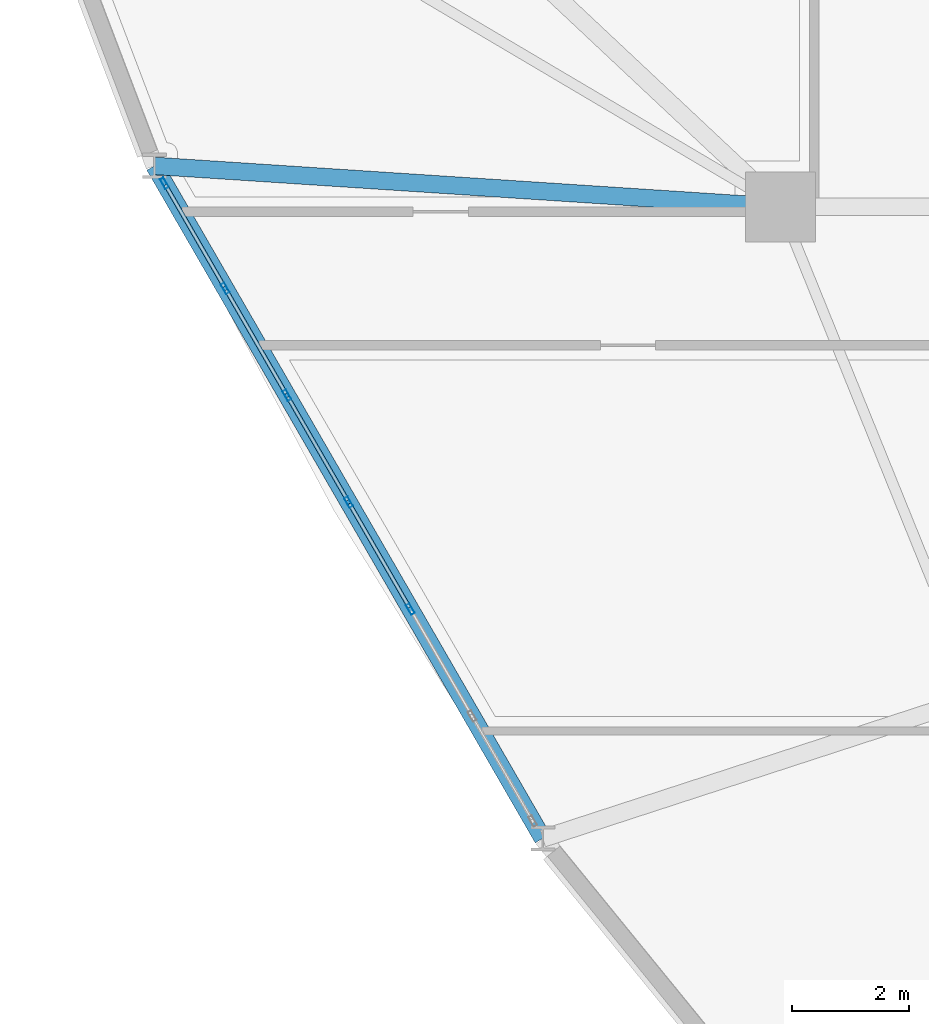
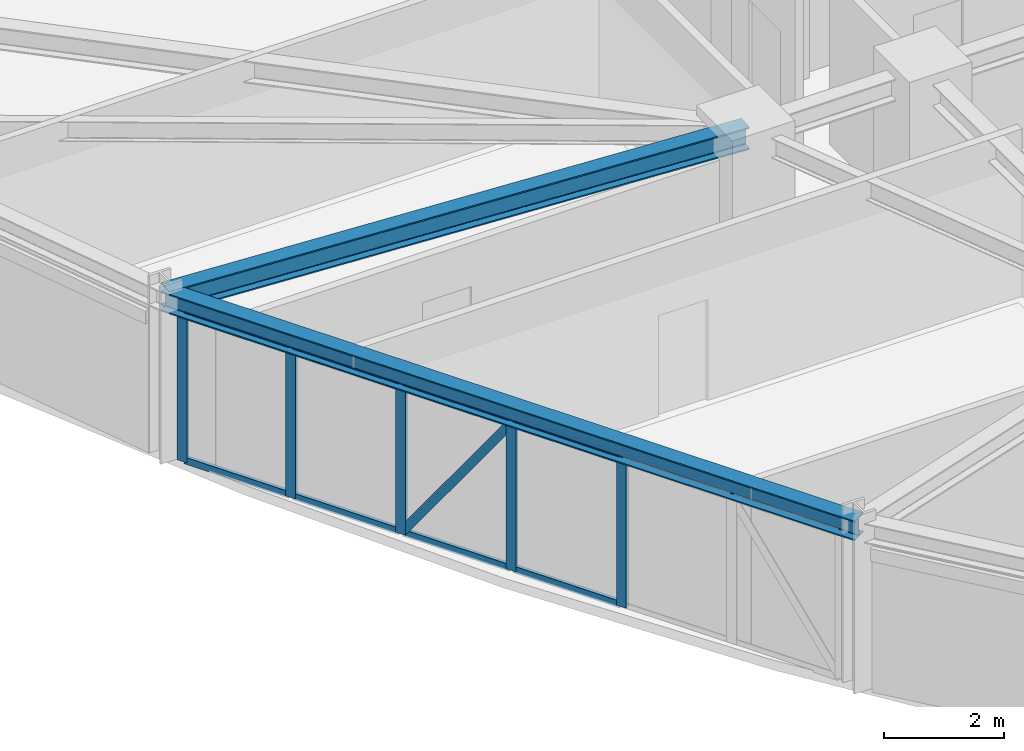
# One storey, part 4 of 18: 14 members, 2 beams, 1 element without a shape of its own.
"""IFC4 building model written with IfcOpenShell, lengths in metres."""

from ifc_helpers import new_model, si_unit, derived_unit, direction, frame, origin, origin_2d, place, context, subcontext, project, spatial, hollow_rectangle, i_section, extrude, source, transform, mapped, material, layer, layer_set, material_profile, profile_set, type_object, element, aggregate, save


model = new_model("IFC4")

# Units and contexts
model_context = context("Model", 3, precision=1e-05, world=origin(), true_north=direction((0.0, 1.0)))
body_context = subcontext(model_context, "Body", "Model", "MODEL_VIEW")
ifc_project = project(units=[si_unit("LENGTHUNIT", "METRE"), si_unit("AREAUNIT", "SQUARE_METRE"), si_unit("VOLUMEUNIT", "CUBIC_METRE"), si_unit("PLANEANGLEUNIT", "RADIAN"), si_unit("MASSUNIT", "GRAM", prefix="KILO"), derived_unit("THERMALTRANSMITTANCEUNIT", [(si_unit("POWERUNIT", "WATT"), 1), (si_unit("LENGTHUNIT", "METRE"), -2), (si_unit("THERMODYNAMICTEMPERATUREUNIT", "KELVIN"), -1)])], contexts=[model_context])

# Site, building, storey
site_placement = place(None, origin())
site = spatial("IfcSite", under=ifc_project, at=site_placement, CompositionType="ELEMENT")
building_placement = place(site_placement, origin())
building = spatial("IfcBuilding", under=site, at=building_placement, Name="Korsvarv Bourse and Concert Hall", CompositionType="ELEMENT")
storey_placement = place(building_placement, frame((0.0, 0.0, 136.199951171875)))
storey = spatial("IfcBuildingStorey", under=building, at=storey_placement, Name="L34", CompositionType="ELEMENT", Elevation=136.199951171875)

# Beams
ifc_material_1 = material(Name="Steel S355", Category="steel")
ifc_material_profile_1 = material_profile(ifc_material_1, i_section(OverallWidth=0.300048828125, OverallDepth=0.39990234375, WebThickness=0.013427734375, FlangeThickness=0.02392578125, FilletRadius=0.02099609375, at=origin_2d()), Name="HEB 400")
ifc_profile_set_1 = profile_set([ifc_material_profile_1], Name="Steel S355")
beam_type_1 = type_object("IfcBeamType", Name="BM-HEB400", PredefinedType="SPANDREL", material=ifc_profile_set_1)
shared_shape_1 = source(origin(), body_context, "Body", "SweptSolid", [
    extrude(i_section(OverallWidth=0.300048828125, OverallDepth=0.39990234375, WebThickness=0.013427734375, FlangeThickness=0.02392578125, FilletRadius=0.02099609375, at=origin_2d()), origin(), (0.0, 0.0, 1.0), 13.32763671875),
])
beam_1_placement = place(storey_placement, frame((13.453857421875, 33.1025390625, 3.199951171875), z_axis=(0.500002592159, -0.866023907196, 0.0), x_axis=(0.866023907196, 0.500002592159, 0.0)))
element("IfcBeam", 1, at=beam_1_placement, inside=storey, type_object=beam_type_1, Name="L34 beam B-09", PredefinedType="SPANDREL", context=body_context, shape_type="MappedRepresentation", body=[
    mapped(shared_shape_1, transform((0.0, 0.0, 0.0), scale=1.0)),
])
ifc_material_profile_2 = material_profile(ifc_material_1, i_section(OverallWidth=0.300048828125, OverallDepth=0.449951171875, WebThickness=0.013916015625, FlangeThickness=0.02587890625, FilletRadius=0.02099609375, at=origin_2d()), Name="HEB 450")
ifc_profile_set_2 = profile_set([ifc_material_profile_2], Name="Steel S355")
beam_type_2 = type_object("IfcBeamType", Name="BM-HEB450", PredefinedType="SPANDREL", material=ifc_profile_set_2)
shared_shape_2 = source(origin(), body_context, "Body", "SweptSolid", [
    extrude(i_section(OverallWidth=0.300048828125, OverallDepth=0.449951171875, WebThickness=0.013916015625, FlangeThickness=0.02587890625, FilletRadius=0.02099609375, at=origin_2d()), origin(), (0.0, 0.0, 1.0), 10.76904296875),
])
beam_2_placement = place(storey_placement, frame((13.453857421875, 33.1025390625, 3.175048828125), z_axis=(0.997869210127, -0.065245992065, 0.0), x_axis=(0.065245992065, 0.997869210127, 0.0)))
element("IfcBeam", 2, at=beam_2_placement, inside=storey, type_object=beam_type_2, Name="L34 beam B-08", PredefinedType="SPANDREL", context=body_context, shape_type="MappedRepresentation", body=[
    mapped(shared_shape_2, transform((0.0, 0.0, 0.0), scale=1.0)),
])

# Curtain wall, members
ifc_material_2 = material(Name="Anodised aluminium and triple low-E glazing", Category="glass")
ifc_layer = layer(ifc_material_2, 0.2099609375)
ifc_layer_set = layer_set([ifc_layer], Name="Anodised aluminium and triple low-E glazing")
curtain_wall_type = type_object("IfcCurtainWallType", Name="CW-SYS-2", PredefinedType="NOTDEFINED", material=ifc_layer_set)
curtain_wall_placement = place(storey_placement, origin())
curtain_wall = element("IfcCurtainWall", 3, at=curtain_wall_placement, inside=storey, type_object=curtain_wall_type, Name="L34 CW2 curtain wall CW-L34-F07", PredefinedType="NOTDEFINED")
ifc_material_3 = material(Name="Extruded aluminium EN AW-6063 T66", Category="aluminium")
ifc_material_profile_3 = material_profile(ifc_material_3, hollow_rectangle(XDim=0.070068359375, YDim=0.18994140625, WallThickness=0.0048828125, at=origin_2d()), Name="ALU-M 70x190")
ifc_profile_set_3 = profile_set([ifc_material_profile_3], Name="Extruded aluminium EN AW-6063 T66")
member_type_1 = type_object("IfcMemberType", Name="CWM-190", PredefinedType="MULLION", material=ifc_profile_set_3)
shared_shape_3 = source(origin(), body_context, "Body", "SweptSolid", [
    extrude(hollow_rectangle(XDim=0.070068359375, YDim=0.18994140625, WallThickness=0.0048828125, at=origin_2d()), origin(), (0.0, 0.0, 1.0), 3.0),
])
member_1_placement = place(storey_placement, frame((13.625732421875, 32.8046875, 0.0), z_axis=(0.0, 0.0, 1.0), x_axis=(0.866025213439, 0.500000329688, 0.0)))
member_1 = element("IfcMember", 4, at=member_1_placement, type_object=member_type_1, Name="CW2 mullion 1", PredefinedType="MULLION", context=body_context, shape_type="MappedRepresentation", body=[
    mapped(shared_shape_3, transform((0.0, 0.0, 0.0), scale=1.0)),
])
member_2_placement = place(storey_placement, frame((14.66748046875, 31.00048828125, 0.0), z_axis=(0.0, 0.0, 1.0), x_axis=(0.866025213439, 0.500000329688, 0.0)))
member_2 = element("IfcMember", 5, at=member_2_placement, type_object=member_type_1, Name="CW2 mullion 2", PredefinedType="MULLION", context=body_context, shape_type="MappedRepresentation", body=[
    mapped(shared_shape_3, transform((0.0, 0.0, 0.0), scale=1.0)),
])
member_3_placement = place(storey_placement, frame((15.7265625, 29.166015625, 0.0), z_axis=(0.0, 0.0, 1.0), x_axis=(0.866025213439, 0.500000329688, 0.0)))
member_3 = element("IfcMember", 6, at=member_3_placement, type_object=member_type_1, Name="CW2 mullion 3", PredefinedType="MULLION", context=body_context, shape_type="MappedRepresentation", body=[
    mapped(shared_shape_3, transform((0.0, 0.0, 0.0), scale=1.0)),
])
member_4_placement = place(storey_placement, frame((16.78564453125, 27.33154296875, 0.0), z_axis=(0.0, 0.0, 1.0), x_axis=(0.866025213439, 0.500000329688, 0.0)))
member_4 = element("IfcMember", 7, at=member_4_placement, type_object=member_type_1, Name="CW2 mullion 4", PredefinedType="MULLION", context=body_context, shape_type="MappedRepresentation", body=[
    mapped(shared_shape_3, transform((0.0, 0.0, 0.0), scale=1.0)),
])
member_5_placement = place(storey_placement, frame((17.844970703125, 25.4970703125, 0.0), z_axis=(0.0, 0.0, 1.0), x_axis=(0.866025213439, 0.500000329688, 0.0)))
member_5 = element("IfcMember", 8, at=member_5_placement, type_object=member_type_1, Name="CW2 mullion 5", PredefinedType="MULLION", context=body_context, shape_type="MappedRepresentation", body=[
    mapped(shared_shape_3, transform((0.0, 0.0, 0.0), scale=1.0)),
])
ifc_material_profile_4 = material_profile(ifc_material_3, hollow_rectangle(XDim=0.06494140625, YDim=0.139892578125, WallThickness=0.00390625, at=origin_2d()), Name="ALU-T 65x140")
ifc_profile_set_4 = profile_set([ifc_material_profile_4], Name="Extruded aluminium EN AW-6063 T66")
member_type_2 = type_object("IfcMemberType", Name="CWT-140", PredefinedType="USERDEFINED", material=ifc_profile_set_4)
shared_shape_4 = source(origin(), body_context, "Body", "SweptSolid", [
    extrude(hollow_rectangle(XDim=0.06494140625, YDim=0.139892578125, WallThickness=0.00390625, at=origin_2d()), origin(), (0.0, 0.0, 1.0), 2.013427734375),
])
member_6_placement = place(storey_placement, frame((13.643310546875, 32.7744140625, 0.032470703125), z_axis=(0.499960381356, -0.866048276411, 0.0), x_axis=(0.866048276411, 0.499960381356, 0.0)))
member_6 = element("IfcMember", 9, at=member_6_placement, type_object=member_type_2, Name="CW2 transom 1.1", ObjectType="TRANSOM", PredefinedType="USERDEFINED", context=body_context, shape_type="MappedRepresentation", body=[
    mapped(shared_shape_4, transform((0.0, 0.0, 0.0), scale=1.0)),
])
member_7_placement = place(storey_placement, frame((13.643310546875, 32.7744140625, 2.967529296875), z_axis=(0.499960381356, -0.866048276411, 0.0), x_axis=(0.866048276411, 0.499960381356, 0.0)))
member_7 = element("IfcMember", 10, at=member_7_placement, type_object=member_type_2, Name="CW2 transom 1.2", ObjectType="TRANSOM", PredefinedType="USERDEFINED", context=body_context, shape_type="MappedRepresentation", body=[
    mapped(shared_shape_4, transform((0.0, 0.0, 0.0), scale=1.0)),
])
shared_shape_5 = source(origin(), body_context, "Body", "SweptSolid", [
    extrude(hollow_rectangle(XDim=0.06494140625, YDim=0.139892578125, WallThickness=0.00390625, at=origin_2d()), origin(), (0.0, 0.0, 1.0), 2.04833984375),
])
member_8_placement = place(storey_placement, frame((14.68505859375, 30.97021484375, 0.032470703125), z_axis=(0.499908181442, -0.866078408764, 0.0), x_axis=(0.866078408764, 0.499908181442, 0.0)))
member_8 = element("IfcMember", 11, at=member_8_placement, type_object=member_type_2, Name="CW2 transom 2.1", ObjectType="TRANSOM", PredefinedType="USERDEFINED", context=body_context, shape_type="MappedRepresentation", body=[
    mapped(shared_shape_5, transform((0.0, 0.0, 0.0), scale=1.0)),
])
member_9_placement = place(storey_placement, frame((14.68505859375, 30.97021484375, 2.967529296875), z_axis=(0.499908181442, -0.866078408764, 0.0), x_axis=(0.866078408764, 0.499908181442, 0.0)))
member_9 = element("IfcMember", 12, at=member_9_placement, type_object=member_type_2, Name="CW2 transom 2.2", ObjectType="TRANSOM", PredefinedType="USERDEFINED", context=body_context, shape_type="MappedRepresentation", body=[
    mapped(shared_shape_5, transform((0.0, 0.0, 0.0), scale=1.0)),
])
member_10_placement = place(storey_placement, frame((15.744140625, 29.1357421875, 0.032470703125), z_axis=(0.499997581422, -0.866026800146, 0.0), x_axis=(0.866026800146, 0.499997581422, 0.0)))
member_10 = element("IfcMember", 13, at=member_10_placement, type_object=member_type_2, Name="CW2 transom 3.1", ObjectType="TRANSOM", PredefinedType="USERDEFINED", context=body_context, shape_type="MappedRepresentation", body=[
    mapped(shared_shape_5, transform((0.0, 0.0, 0.0), scale=1.0)),
])
member_11_placement = place(storey_placement, frame((15.744140625, 29.1357421875, 2.967529296875), z_axis=(0.499997581422, -0.866026800146, 0.0), x_axis=(0.866026800146, 0.499997581422, 0.0)))
member_11 = element("IfcMember", 14, at=member_11_placement, type_object=member_type_2, Name="CW2 transom 3.2", ObjectType="TRANSOM", PredefinedType="USERDEFINED", context=body_context, shape_type="MappedRepresentation", body=[
    mapped(shared_shape_5, transform((0.0, 0.0, 0.0), scale=1.0)),
])
member_12_placement = place(storey_placement, frame((16.80322265625, 27.30126953125, 0.032470703125), z_axis=(0.499997581422, -0.866026800146, 0.0), x_axis=(0.866026800146, 0.499997581422, 0.0)))
member_12 = element("IfcMember", 15, at=member_12_placement, type_object=member_type_2, Name="CW2 transom 4.1", ObjectType="TRANSOM", PredefinedType="USERDEFINED", context=body_context, shape_type="MappedRepresentation", body=[
    mapped(shared_shape_5, transform((0.0, 0.0, 0.0), scale=1.0)),
])
member_13_placement = place(storey_placement, frame((16.80322265625, 27.30126953125, 2.967529296875), z_axis=(0.499997581422, -0.866026800146, 0.0), x_axis=(0.866026800146, 0.499997581422, 0.0)))
member_13 = element("IfcMember", 16, at=member_13_placement, type_object=member_type_2, Name="CW2 transom 4.2", ObjectType="TRANSOM", PredefinedType="USERDEFINED", context=body_context, shape_type="MappedRepresentation", body=[
    mapped(shared_shape_5, transform((0.0, 0.0, 0.0), scale=1.0)),
])
ifc_material_profile_5 = material_profile(ifc_material_3, hollow_rectangle(XDim=0.06494140625, YDim=0.1650390625, WallThickness=0.0048828125, at=origin_2d()), Name="ALU-M 65x165")
ifc_profile_set_5 = profile_set([ifc_material_profile_5], Name="Extruded aluminium EN AW-6063 T66")
member_type_3 = type_object("IfcMemberType", Name="CWM-165", PredefinedType="MULLION", material=ifc_profile_set_5)
shared_shape_6 = source(origin(), body_context, "Body", "SweptSolid", [
    extrude(hollow_rectangle(XDim=0.06494140625, YDim=0.1650390625, WallThickness=0.0048828125, at=origin_2d()), origin(), (0.0, 0.0, 1.0), 3.526123046875),
])
member_14_placement = place(storey_placement, frame((15.744140625, 29.1357421875, 0.06494140625), z_axis=(0.290454859605, -0.503085818806, 0.813965990351), x_axis=(0.866026800146, 0.499997581422, 0.0)))
member_14 = element("IfcMember", 17, at=member_14_placement, type_object=member_type_3, Name="CW2 diagonal mullion 3", PredefinedType="MULLION", context=body_context, shape_type="MappedRepresentation", body=[
    mapped(shared_shape_6, transform((0.0, 0.0, 0.0), scale=1.0)),
])
aggregate(curtain_wall, [member_1, member_2, member_3, member_4, member_5, member_6, member_7, member_8, member_9, member_10, member_11, member_14, member_12, member_13])

save(model, "model.ifc")
